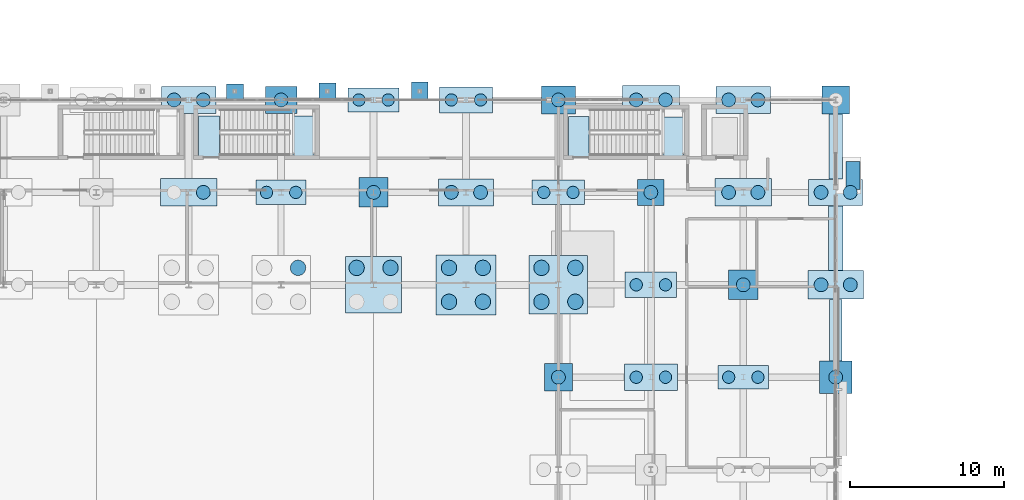
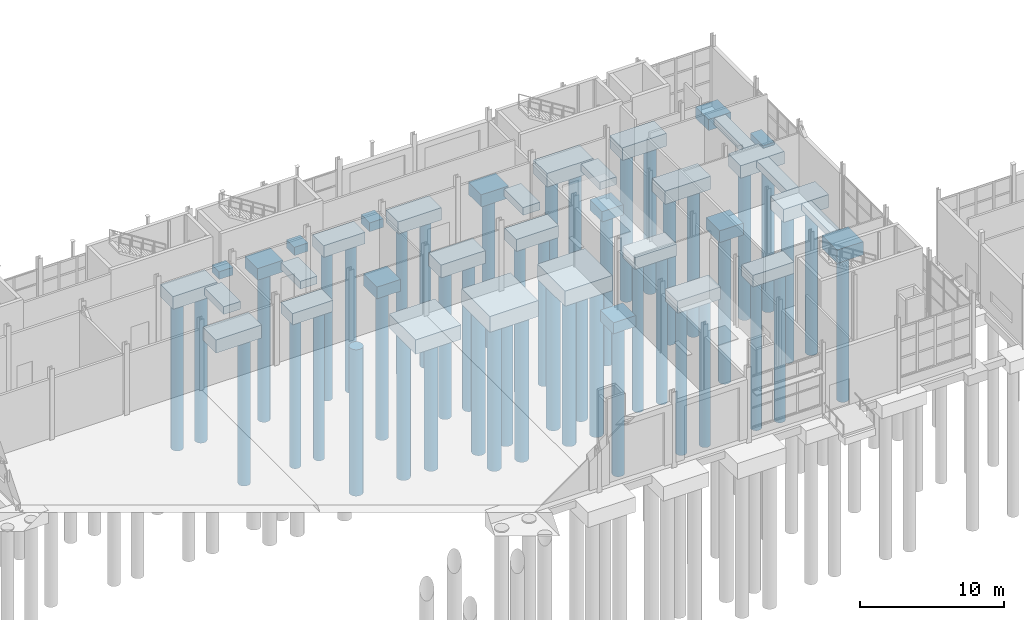
# One storey, part 5 of 120: 47 piles, 37 footings.
"""IFC4 building model written with IfcOpenShell, lengths in metres."""

from ifc_helpers import new_model, si_unit, direction, frame, origin, origin_2d, place, context, subcontext, project, spatial, rectangle, circle, extrude, material, material_profile, profile_set, type_object, element, save


model = new_model("IFC4")

# Units and contexts
model_context = context("Model", 3, precision=1e-05, world=origin(), true_north=direction((0.0, 1.0)))
body_context = subcontext(model_context, "Body", "Model", "MODEL_VIEW")
ifc_project = project(units=[si_unit("LENGTHUNIT", "METRE"), si_unit("AREAUNIT", "SQUARE_METRE"), si_unit("VOLUMEUNIT", "CUBIC_METRE"), si_unit("PLANEANGLEUNIT", "RADIAN"), si_unit("MASSUNIT", "GRAM", prefix="KILO")], contexts=[model_context])

# Site, building, storey
site_placement = place(None, origin())
site = spatial("IfcSite", under=ifc_project, at=site_placement, CompositionType="ELEMENT")
building_placement = place(site_placement, origin())
building = spatial("IfcBuilding", under=site, at=building_placement, Name="Siltcreek Boulevard Central Fire Station", CompositionType="ELEMENT")
storey_placement = place(building_placement, origin())
storey = spatial("IfcBuildingStorey", under=building, at=storey_placement, Name="L01", CompositionType="ELEMENT", Elevation=0.0)

# Footings
ifc_material = material(Name="Concrete C35/45", Category="concrete")
footing_type_1 = type_object("IfcFootingType", Name="PC_170X170X088", PredefinedType="PILE_CAP", material=ifc_material)
footing_1_placement = place(storey_placement, frame((96.0, 48.0, -1.2900390625), z_axis=(0.0, 0.0, 1.0), x_axis=(1.0, 0.0, 0.0)))
element("IfcFooting", 1, at=footing_1_placement, inside=storey, type_object=footing_type_1, Name="Reinforced concrete pile cap PC-060", PredefinedType="PILE_CAP", context=body_context, shape_type="SweptSolid", body=[
    extrude(rectangle(XDim=1.699951171875, YDim=1.699951171875, at=origin_2d()), origin(), (0.0, 0.0, 1.0), 0.8798828125),
])
footing_type_2 = type_object("IfcFootingType", Name="PC_180X180X094", PredefinedType="PILE_CAP", material=ifc_material)
for number, where, z_axis, x_axis, name in (
    (2, (90.0, 36.0, -1.349853515625), (0.0, 0.0, 1.0), (1.0, 0.0, 0.0), "Reinforced concrete pile cap PC-051"),
    (3, (108.0, 54.0, -1.349853515625), (0.0, 0.0, 1.0), (1.0, 0.0, 0.0), "Reinforced concrete pile cap PC-075"),
):
    element("IfcFooting", number, at=place(storey_placement, frame(where, z_axis=z_axis, x_axis=x_axis)), inside=storey, type_object=footing_type_2, Name=name, PredefinedType="PILE_CAP", context=body_context, shape_type="SweptSolid", body=[
        extrude(rectangle(XDim=1.800048828125, YDim=1.800048828125, at=origin_2d()), origin(), (0.0, 0.0, 1.0), 0.93994140625),
    ])
footing_type_3 = type_object("IfcFootingType", Name="PC_190X190X100", PredefinedType="PILE_CAP", material=ifc_material)
for number, where, z_axis, x_axis, name in (
    (4, (78.0, 48.0, -1.409912109375), (0.0, 0.0, 1.0), (1.0, 0.0, 0.0), "Reinforced concrete pile cap PC-042"),
    (5, (102.0, 42.0, -1.409912109375), (0.0, 0.0, 1.0), (1.0, 0.0, 0.0), "Reinforced concrete pile cap PC-066"),
):
    element("IfcFooting", number, at=place(storey_placement, frame(where, z_axis=z_axis, x_axis=x_axis)), inside=storey, type_object=footing_type_3, Name=name, PredefinedType="PILE_CAP", context=body_context, shape_type="SweptSolid", body=[
        extrude(rectangle(XDim=1.89990234375, YDim=1.89990234375, at=origin_2d()), origin(), (0.0, 0.0, 1.0), 1.0),
    ])
footing_type_4 = type_object("IfcFootingType", Name="PC_205X175X098", PredefinedType="PILE_CAP", material=ifc_material)
footing_2_placement = place(storey_placement, frame((72.0, 54.0, -1.389892578125), z_axis=(0.0, 0.0, 1.0), x_axis=(1.0, 0.0, 0.0)))
element("IfcFooting", 6, at=footing_2_placement, inside=storey, type_object=footing_type_4, Name="Reinforced concrete pile cap PC-039", PredefinedType="PILE_CAP", context=body_context, shape_type="SweptSolid", body=[
    extrude(rectangle(XDim=2.050048828125, YDim=1.75, at=origin_2d()), origin(), (0.0, 0.0, 1.0), 0.97998046875),
])
footing_type_5 = type_object("IfcFootingType", Name="PC_210X210X112", PredefinedType="PILE_CAP", material=ifc_material)
footing_3_placement = place(storey_placement, frame((108.0, 36.0, -1.530029296875), z_axis=(0.0, 0.0, 1.0), x_axis=(1.0, 0.0, 0.0)))
element("IfcFooting", 7, at=footing_3_placement, inside=storey, type_object=footing_type_5, Name="Reinforced concrete pile cap PC-072", PredefinedType="PILE_CAP", context=body_context, shape_type="SweptSolid", body=[
    extrude(rectangle(XDim=2.10009765625, YDim=2.10009765625, at=origin_2d()), origin(), (0.0, 0.0, 1.0), 1.1201171875),
])
footing_type_6 = type_object("IfcFootingType", Name="PC_220X180X104", PredefinedType="PILE_CAP", material=ifc_material)
footing_4_placement = place(storey_placement, frame((90.0, 54.0, -1.449951171875), z_axis=(0.0, 0.0, 1.0), x_axis=(1.0, 0.0, 0.0)))
element("IfcFooting", 8, at=footing_4_placement, inside=storey, type_object=footing_type_6, Name="Reinforced concrete pile cap PC-054", PredefinedType="PILE_CAP", context=body_context, shape_type="SweptSolid", body=[
    extrude(rectangle(XDim=2.199951171875, YDim=1.800048828125, at=origin_2d()), origin(), (0.0, 0.0, 1.0), 1.0400390625),
])
footing_type_7 = type_object("IfcFootingType", Name="PC_325X160X096", PredefinedType="PILE_CAP", material=ifc_material)
footing_5_placement = place(storey_placement, frame((72.0, 48.0, -1.369873046875), z_axis=(0.0, 0.0, 1.0), x_axis=(1.0, 0.0, 0.0)))
element("IfcFooting", 9, at=footing_5_placement, inside=storey, type_object=footing_type_7, Name="Reinforced concrete pile cap PC-038", PredefinedType="PILE_CAP", context=body_context, shape_type="SweptSolid", body=[
    extrude(rectangle(XDim=3.25, YDim=1.60009765625, at=origin_2d()), origin(), (0.0, 0.0, 1.0), 0.9599609375),
])
footing_type_8 = type_object("IfcFootingType", Name="PC_330X155X098", PredefinedType="PILE_CAP", material=ifc_material)
for number, where, z_axis, x_axis, name in (
    (10, (78.0, 54.0, -1.389892578125), (0.0, 0.0, 1.0), (1.0, 0.0, 0.0), "Reinforced concrete pile cap PC-043"),
    (11, (102.0, 36.0, -1.389892578125), (0.0, 0.0, 1.0), (1.0, 0.0, 0.0), "Reinforced concrete pile cap PC-065"),
):
    element("IfcFooting", number, at=place(storey_placement, frame(where, z_axis=z_axis, x_axis=x_axis)), inside=storey, type_object=footing_type_8, Name=name, PredefinedType="PILE_CAP", context=body_context, shape_type="SweptSolid", body=[
        extrude(rectangle(XDim=3.300048828125, YDim=1.550048828125, at=origin_2d()), origin(), (0.0, 0.0, 1.0), 0.97998046875),
    ])
footing_type_9 = type_object("IfcFootingType", Name="PC_335X165X100", PredefinedType="PILE_CAP", material=ifc_material)
footing_6_placement = place(storey_placement, frame((96.0, 42.0, -1.409912109375), z_axis=(0.0, 0.0, 1.0), x_axis=(1.0, 0.0, 0.0)))
element("IfcFooting", 12, at=footing_6_placement, inside=storey, type_object=footing_type_9, Name="Reinforced concrete pile cap PC-059", PredefinedType="PILE_CAP", context=body_context, shape_type="SweptSolid", body=[
    extrude(rectangle(XDim=3.35009765625, YDim=1.64990234375, at=origin_2d()), origin(), (0.0, 0.0, 1.0), 1.0),
])
footing_type_10 = type_object("IfcFootingType", Name="PC_340X160X102", PredefinedType="PILE_CAP", material=ifc_material)
footing_7_placement = place(storey_placement, frame((90.0, 48.0, -1.429931640625), z_axis=(0.0, 0.0, 1.0), x_axis=(1.0, 0.0, 0.0)))
element("IfcFooting", 13, at=footing_7_placement, inside=storey, type_object=footing_type_10, Name="Reinforced concrete pile cap PC-053", PredefinedType="PILE_CAP", context=body_context, shape_type="SweptSolid", body=[
    extrude(rectangle(XDim=3.39990234375, YDim=1.60009765625, at=origin_2d()), origin(), (0.0, 0.0, 1.0), 1.02001953125),
])
footing_type_11 = type_object("IfcFootingType", Name="PC_345X170X104", PredefinedType="PILE_CAP", material=ifc_material)
for number, where, z_axis, x_axis, name in (
    (14, (84.0, 54.0, -1.449951171875), (0.0, 0.0, 1.0), (1.0, 0.0, 0.0), "Reinforced concrete pile cap PC-047"),
    (15, (96.0, 36.0, -1.449951171875), (0.0, 0.0, 1.0), (1.0, 0.0, 0.0), "Reinforced concrete pile cap PC-058"),
):
    element("IfcFooting", number, at=place(storey_placement, frame(where, z_axis=z_axis, x_axis=x_axis)), inside=storey, type_object=footing_type_11, Name=name, PredefinedType="PILE_CAP", context=body_context, shape_type="SweptSolid", body=[
        extrude(rectangle(XDim=3.449951171875, YDim=1.699951171875, at=origin_2d()), origin(), (0.0, 0.0, 1.0), 1.0400390625),
    ])
footing_type_12 = type_object("IfcFootingType", Name="PC_350X170X106", PredefinedType="PILE_CAP", material=ifc_material)
footing_8_placement = place(storey_placement, frame((108.0, 48.0, -1.469970703125), z_axis=(0.0, 0.0, 1.0), x_axis=(1.0, 0.0, 0.0)))
element("IfcFooting", 16, at=footing_8_placement, inside=storey, type_object=footing_type_12, Name="Reinforced concrete pile cap PC-074", PredefinedType="PILE_CAP", context=body_context, shape_type="SweptSolid", body=[
    extrude(rectangle(XDim=3.5, YDim=1.699951171875, at=origin_2d()), origin(), (0.0, 0.0, 1.0), 1.06005859375),
])
footing_type_13 = type_object("IfcFootingType", Name="PC_355X175X108", PredefinedType="PILE_CAP", material=ifc_material)
for number, where, z_axis, x_axis, name in (
    (17, (66.0, 54.0, -1.489990234375), (0.0, 0.0, 1.0), (1.0, 0.0, 0.0), "Reinforced concrete pile cap PC-035"),
    (18, (84.0, 48.0, -1.489990234375), (0.0, 0.0, 1.0), (1.0, 0.0, 0.0), "Reinforced concrete pile cap PC-046"),
    (19, (102.0, 54.0, -1.489990234375), (0.0, 0.0, 1.0), (1.0, 0.0, 0.0), "Reinforced concrete pile cap PC-068"),
):
    element("IfcFooting", number, at=place(storey_placement, frame(where, z_axis=z_axis, x_axis=x_axis)), inside=storey, type_object=footing_type_13, Name=name, PredefinedType="PILE_CAP", context=body_context, shape_type="SweptSolid", body=[
        extrude(rectangle(XDim=3.550048828125, YDim=1.75, at=origin_2d()), origin(), (0.0, 0.0, 1.0), 1.080078125),
    ])
footing_type_14 = type_object("IfcFootingType", Name="PC_360X185X110", PredefinedType="PILE_CAP", material=ifc_material)
footing_9_placement = place(storey_placement, frame((108.0, 42.0, -1.510009765625), z_axis=(0.0, 0.0, 1.0), x_axis=(1.0, 0.0, 0.0)))
element("IfcFooting", 20, at=footing_9_placement, inside=storey, type_object=footing_type_14, Name="Reinforced concrete pile cap PC-073", PredefinedType="PILE_CAP", context=body_context, shape_type="SweptSolid", body=[
    extrude(rectangle(XDim=3.60009765625, YDim=1.85009765625, at=origin_2d()), origin(), (0.0, 0.0, 1.0), 1.10009765625),
])
footing_type_15 = type_object("IfcFootingType", Name="PC_365X180X112", PredefinedType="PILE_CAP", material=ifc_material)
for number, where, z_axis, x_axis, name in (
    (21, (66.0, 48.0, -1.530029296875), (0.0, 0.0, 1.0), (1.0, 0.0, 0.0), "Reinforced concrete pile cap PC-034"),
    (22, (102.0, 48.0, -1.530029296875), (0.0, 0.0, 1.0), (1.0, 0.0, 0.0), "Reinforced concrete pile cap PC-067"),
):
    element("IfcFooting", number, at=place(storey_placement, frame(where, z_axis=z_axis, x_axis=x_axis)), inside=storey, type_object=footing_type_15, Name=name, PredefinedType="PILE_CAP", context=body_context, shape_type="SweptSolid", body=[
        extrude(rectangle(XDim=3.64990234375, YDim=1.800048828125, at=origin_2d()), origin(), (0.0, 0.0, 1.0), 1.1201171875),
    ])
footing_type_16 = type_object("IfcFootingType", Name="PC_365X365X122", PredefinedType="PILE_CAP", material=ifc_material)
footing_10_placement = place(storey_placement, frame((78.0, 42.0, -1.6298828125), z_axis=(0.0, 0.0, 1.0), x_axis=(1.0, 0.0, 0.0)))
element("IfcFooting", 23, at=footing_10_placement, inside=storey, type_object=footing_type_16, Name="Reinforced concrete pile cap PC-041", PredefinedType="PILE_CAP", context=body_context, shape_type="SweptSolid", body=[
    extrude(rectangle(XDim=3.64990234375, YDim=3.64990234375, at=origin_2d()), origin(), (0.0, 0.0, 1.0), 1.219970703125),
])
footing_type_17 = type_object("IfcFootingType", Name="PC_370X190X116", PredefinedType="PILE_CAP", material=ifc_material)
footing_11_placement = place(storey_placement, frame((96.0, 54.0, -1.56982421875), z_axis=(0.0, 0.0, 1.0), x_axis=(1.0, 0.0, 0.0)))
element("IfcFooting", 24, at=footing_11_placement, inside=storey, type_object=footing_type_17, Name="Reinforced concrete pile cap PC-061", PredefinedType="PILE_CAP", context=body_context, shape_type="SweptSolid", body=[
    extrude(rectangle(XDim=3.699951171875, YDim=1.89990234375, at=origin_2d()), origin(), (0.0, 0.0, 1.0), 1.159912109375),
])
footing_type_18 = type_object("IfcFootingType", Name="PC_380X380X128", PredefinedType="PILE_CAP", material=ifc_material)
footing_12_placement = place(storey_placement, frame((90.0, 42.0, -1.68994140625), z_axis=(0.0, 0.0, 1.0), x_axis=(1.0, 0.0, 0.0)))
element("IfcFooting", 25, at=footing_12_placement, inside=storey, type_object=footing_type_18, Name="Reinforced concrete pile cap PC-052", PredefinedType="PILE_CAP", context=body_context, shape_type="SweptSolid", body=[
    extrude(rectangle(XDim=3.800048828125, YDim=3.800048828125, at=origin_2d()), origin(), (0.0, 0.0, 1.0), 1.280029296875),
])
footing_type_19 = type_object("IfcFootingType", Name="PC_390X390X135", PredefinedType="PILE_CAP", material=ifc_material)
footing_13_placement = place(storey_placement, frame((84.0, 42.0, -1.760009765625), z_axis=(0.0, 0.0, 1.0), x_axis=(1.0, 0.0, 0.0)))
element("IfcFooting", 26, at=footing_13_placement, inside=storey, type_object=footing_type_19, Name="Reinforced concrete pile cap PC-045", PredefinedType="PILE_CAP", context=body_context, shape_type="SweptSolid", body=[
    extrude(rectangle(XDim=3.89990234375, YDim=3.89990234375, at=origin_2d()), origin(), (0.0, 0.0, 1.0), 1.35009765625),
])

# Piles
ifc_material_profile_1 = material_profile(ifc_material, circle(Radius=0.5, at=origin_2d()), Name="SHAFT1000")
ifc_profile_set_1 = profile_set([ifc_material_profile_1], Name="Concrete C35/45")
pile_type_1 = type_object("IfcPileType", Name="PILE_D1000", PredefinedType="BORED", material=ifc_profile_set_1)
pile_1_placement = place(storey_placement, frame((73.10009765625, 43.10009765625, -1.590087890625), z_axis=(0.0, 0.0, -1.0), x_axis=(1.0, 0.0, 0.0)))
element("IfcPile", 27, at=pile_1_placement, inside=storey, type_object=pile_type_1, Name="Bored concrete pile 072 in Vashon till", PredefinedType="BORED", context=body_context, shape_type="SweptSolid", body=[
    extrude(circle(Radius=0.5, at=origin_2d()), origin(), (0.0, 0.0, 1.0), 12.409912109375),
])
for number, where, z_axis, x_axis, name in (
    (28, (76.89990234375, 43.10009765625, -1.530029296875), (0.0, 0.0, -1.0), (1.0, 0.0, 0.0), "Bored concrete pile 082 in Vashon till"),
    (29, (79.10009765625, 43.10009765625, -1.530029296875), (0.0, 0.0, -1.0), (1.0, 0.0, 0.0), "Bored concrete pile 083 in Vashon till"),
):
    element("IfcPile", number, at=place(storey_placement, frame(where, z_axis=z_axis, x_axis=x_axis)), inside=storey, type_object=pile_type_1, Name=name, PredefinedType="BORED", context=body_context, shape_type="SweptSolid", body=[
        extrude(circle(Radius=0.5, at=origin_2d()), origin(), (0.0, 0.0, 1.0), 12.469970703125),
    ])
for number, where, z_axis, x_axis, name in (
    (30, (82.89990234375, 40.89990234375, -1.659912109375), (0.0, 0.0, -1.0), (1.0, 0.0, 0.0), "Bored concrete pile 091 in Vashon till"),
    (31, (85.10009765625, 40.89990234375, -1.659912109375), (0.0, 0.0, -1.0), (1.0, 0.0, 0.0), "Bored concrete pile 092 in Vashon till"),
    (32, (82.89990234375, 43.10009765625, -1.659912109375), (0.0, 0.0, -1.0), (1.0, 0.0, 0.0), "Bored concrete pile 093 in Vashon till"),
    (33, (85.10009765625, 43.10009765625, -1.659912109375), (0.0, 0.0, -1.0), (1.0, 0.0, 0.0), "Bored concrete pile 094 in Vashon till"),
):
    element("IfcPile", number, at=place(storey_placement, frame(where, z_axis=z_axis, x_axis=x_axis)), inside=storey, type_object=pile_type_1, Name=name, PredefinedType="BORED", context=body_context, shape_type="SweptSolid", body=[
        extrude(circle(Radius=0.5, at=origin_2d()), origin(), (0.0, 0.0, 1.0), 12.340087890625),
    ])
for number, where, z_axis, x_axis, name in (
    (34, (88.89990234375, 40.89990234375, -1.590087890625), (0.0, 0.0, -1.0), (1.0, 0.0, 0.0), "Bored concrete pile 108 in Vashon till"),
    (35, (91.10009765625, 40.89990234375, -1.590087890625), (0.0, 0.0, -1.0), (1.0, 0.0, 0.0), "Bored concrete pile 109 in Vashon till"),
    (36, (88.89990234375, 43.10009765625, -1.590087890625), (0.0, 0.0, -1.0), (1.0, 0.0, 0.0), "Bored concrete pile 110 in Vashon till"),
    (37, (91.10009765625, 43.10009765625, -1.590087890625), (0.0, 0.0, -1.0), (1.0, 0.0, 0.0), "Bored concrete pile 111 in Vashon till"),
):
    element("IfcPile", number, at=place(storey_placement, frame(where, z_axis=z_axis, x_axis=x_axis)), inside=storey, type_object=pile_type_1, Name=name, PredefinedType="BORED", context=body_context, shape_type="SweptSolid", body=[
        extrude(circle(Radius=0.5, at=origin_2d()), origin(), (0.0, 0.0, 1.0), 12.409912109375),
    ])
ifc_material_profile_2 = material_profile(ifc_material, circle(Radius=0.39990234375, at=origin_2d()), Name="SHAFT800")
ifc_profile_set_2 = profile_set([ifc_material_profile_2], Name="Concrete C35/45")
pile_type_2 = type_object("IfcPileType", Name="PILE_D800", PredefinedType="BORED", material=ifc_profile_set_2)
for number, where, z_axis, x_axis, name in (
    (38, (71.050048828125, 48.0, -1.27001953125), (0.0, 0.0, -1.0), (1.0, 0.0, 0.0), "Bored concrete pile 073 in Vashon till"),
    (39, (72.949951171875, 48.0, -1.27001953125), (0.0, 0.0, -1.0), (1.0, 0.0, 0.0), "Bored concrete pile 074 in Vashon till"),
):
    element("IfcPile", number, at=place(storey_placement, frame(where, z_axis=z_axis, x_axis=x_axis)), inside=storey, type_object=pile_type_2, Name=name, PredefinedType="BORED", context=body_context, shape_type="SweptSolid", body=[
        extrude(circle(Radius=0.39990234375, at=origin_2d()), origin(), (0.0, 0.0, 1.0), 12.72998046875),
    ])
for number, where, z_axis, x_axis, name in (
    (40, (77.050048828125, 54.0, -1.2900390625), (0.0, 0.0, -1.0), (1.0, 0.0, 0.0), "Bored concrete pile 085 in Vashon till"),
    (41, (78.949951171875, 54.0, -1.2900390625), (0.0, 0.0, -1.0), (1.0, 0.0, 0.0), "Bored concrete pile 086 in Vashon till"),
):
    element("IfcPile", number, at=place(storey_placement, frame(where, z_axis=z_axis, x_axis=x_axis)), inside=storey, type_object=pile_type_2, Name=name, PredefinedType="BORED", context=body_context, shape_type="SweptSolid", body=[
        extrude(circle(Radius=0.39990234375, at=origin_2d()), origin(), (0.0, 0.0, 1.0), 12.7099609375),
    ])
for number, where, z_axis, x_axis, name in (
    (42, (83.050048828125, 54.0, -1.35009765625), (0.0, 0.0, -1.0), (1.0, 0.0, 0.0), "Bored concrete pile 097 in Vashon till"),
    (43, (84.949951171875, 54.0, -1.35009765625), (0.0, 0.0, -1.0), (1.0, 0.0, 0.0), "Bored concrete pile 098 in Vashon till"),
):
    element("IfcPile", number, at=place(storey_placement, frame(where, z_axis=z_axis, x_axis=x_axis)), inside=storey, type_object=pile_type_2, Name=name, PredefinedType="BORED", context=body_context, shape_type="SweptSolid", body=[
        extrude(circle(Radius=0.39990234375, at=origin_2d()), origin(), (0.0, 0.0, 1.0), 12.64990234375),
    ])
for number, where, z_axis, x_axis, name in (
    (44, (89.050048828125, 48.0, -1.330078125), (0.0, 0.0, -1.0), (1.0, 0.0, 0.0), "Bored concrete pile 112 in Vashon till"),
    (45, (90.949951171875, 48.0, -1.330078125), (0.0, 0.0, -1.0), (1.0, 0.0, 0.0), "Bored concrete pile 113 in Vashon till"),
):
    element("IfcPile", number, at=place(storey_placement, frame(where, z_axis=z_axis, x_axis=x_axis)), inside=storey, type_object=pile_type_2, Name=name, PredefinedType="BORED", context=body_context, shape_type="SweptSolid", body=[
        extrude(circle(Radius=0.39990234375, at=origin_2d()), origin(), (0.0, 0.0, 1.0), 12.669921875),
    ])
for number, where, z_axis, x_axis, name in (
    (46, (95.050048828125, 36.0, -1.35009765625), (0.0, 0.0, -1.0), (1.0, 0.0, 0.0), "Bored concrete pile 120 in Vashon till"),
    (47, (96.949951171875, 36.0, -1.35009765625), (0.0, 0.0, -1.0), (1.0, 0.0, 0.0), "Bored concrete pile 121 in Vashon till"),
):
    element("IfcPile", number, at=place(storey_placement, frame(where, z_axis=z_axis, x_axis=x_axis)), inside=storey, type_object=pile_type_2, Name=name, PredefinedType="BORED", context=body_context, shape_type="SweptSolid", body=[
        extrude(circle(Radius=0.39990234375, at=origin_2d()), origin(), (0.0, 0.0, 1.0), 12.64990234375),
    ])
for number, where, z_axis, x_axis, name in (
    (48, (95.050048828125, 42.0, -1.31005859375), (0.0, 0.0, -1.0), (1.0, 0.0, 0.0), "Bored concrete pile 122 in Vashon till"),
    (49, (96.949951171875, 42.0, -1.31005859375), (0.0, 0.0, -1.0), (1.0, 0.0, 0.0), "Bored concrete pile 123 in Vashon till"),
):
    element("IfcPile", number, at=place(storey_placement, frame(where, z_axis=z_axis, x_axis=x_axis)), inside=storey, type_object=pile_type_2, Name=name, PredefinedType="BORED", context=body_context, shape_type="SweptSolid", body=[
        extrude(circle(Radius=0.39990234375, at=origin_2d()), origin(), (0.0, 0.0, 1.0), 12.68994140625),
    ])
for number, where, z_axis, x_axis, name in (
    (50, (101.050048828125, 36.0, -1.2900390625), (0.0, 0.0, -1.0), (1.0, 0.0, 0.0), "Bored concrete pile 132 in Vashon till"),
    (51, (102.949951171875, 36.0, -1.2900390625), (0.0, 0.0, -1.0), (1.0, 0.0, 0.0), "Bored concrete pile 133 in Vashon till"),
):
    element("IfcPile", number, at=place(storey_placement, frame(where, z_axis=z_axis, x_axis=x_axis)), inside=storey, type_object=pile_type_2, Name=name, PredefinedType="BORED", context=body_context, shape_type="SweptSolid", body=[
        extrude(circle(Radius=0.39990234375, at=origin_2d()), origin(), (0.0, 0.0, 1.0), 12.7099609375),
    ])
ifc_material_profile_3 = material_profile(ifc_material, circle(Radius=0.449951171875, at=origin_2d()), Name="SHAFT900")
ifc_profile_set_3 = profile_set([ifc_material_profile_3], Name="Concrete C35/45")
pile_type_3 = type_object("IfcPileType", Name="PILE_D900", PredefinedType="BORED", material=ifc_profile_set_3)
pile_2_placement = place(storey_placement, frame((66.949951171875, 48.0, -1.429931640625), z_axis=(0.0, 0.0, -1.0), x_axis=(1.0, 0.0, 0.0)))
element("IfcPile", 52, at=pile_2_placement, inside=storey, type_object=pile_type_3, Name="Bored concrete pile 062 in Vashon till", PredefinedType="BORED", context=body_context, shape_type="SweptSolid", body=[
    extrude(circle(Radius=0.449951171875, at=origin_2d()), origin(), (0.0, 0.0, 1.0), 12.570068359375),
])
for number, where, z_axis, x_axis, name in (
    (53, (65.050048828125, 54.0, -1.389892578125), (0.0, 0.0, -1.0), (1.0, 0.0, 0.0), "Bored concrete pile 063 in Vashon till"),
    (54, (66.949951171875, 54.0, -1.389892578125), (0.0, 0.0, -1.0), (1.0, 0.0, 0.0), "Bored concrete pile 064 in Vashon till"),
):
    element("IfcPile", number, at=place(storey_placement, frame(where, z_axis=z_axis, x_axis=x_axis)), inside=storey, type_object=pile_type_3, Name=name, PredefinedType="BORED", context=body_context, shape_type="SweptSolid", body=[
        extrude(circle(Radius=0.449951171875, at=origin_2d()), origin(), (0.0, 0.0, 1.0), 12.610107421875),
    ])
pile_3_placement = place(storey_placement, frame((72.0, 54.0, -1.2900390625), z_axis=(0.0, 0.0, -1.0), x_axis=(1.0, 0.0, 0.0)))
element("IfcPile", 55, at=pile_3_placement, inside=storey, type_object=pile_type_3, Name="Bored concrete pile 075 in Vashon till", PredefinedType="BORED", context=body_context, shape_type="SweptSolid", body=[
    extrude(circle(Radius=0.449951171875, at=origin_2d()), origin(), (0.0, 0.0, 1.0), 12.7099609375),
])
pile_4_placement = place(storey_placement, frame((78.0, 48.0, -1.31005859375), z_axis=(0.0, 0.0, -1.0), x_axis=(1.0, 0.0, 0.0)))
element("IfcPile", 56, at=pile_4_placement, inside=storey, type_object=pile_type_3, Name="Bored concrete pile 084 in Vashon till", PredefinedType="BORED", context=body_context, shape_type="SweptSolid", body=[
    extrude(circle(Radius=0.449951171875, at=origin_2d()), origin(), (0.0, 0.0, 1.0), 12.68994140625),
])
for number, where, z_axis, x_axis, name in (
    (57, (83.050048828125, 48.0, -1.389892578125), (0.0, 0.0, -1.0), (1.0, 0.0, 0.0), "Bored concrete pile 095 in Vashon till"),
    (58, (84.949951171875, 48.0, -1.389892578125), (0.0, 0.0, -1.0), (1.0, 0.0, 0.0), "Bored concrete pile 096 in Vashon till"),
):
    element("IfcPile", number, at=place(storey_placement, frame(where, z_axis=z_axis, x_axis=x_axis)), inside=storey, type_object=pile_type_3, Name=name, PredefinedType="BORED", context=body_context, shape_type="SweptSolid", body=[
        extrude(circle(Radius=0.449951171875, at=origin_2d()), origin(), (0.0, 0.0, 1.0), 12.610107421875),
    ])
pile_5_placement = place(storey_placement, frame((90.0, 36.0, -1.25), z_axis=(0.0, 0.0, -1.0), x_axis=(1.0, 0.0, 0.0)))
element("IfcPile", 59, at=pile_5_placement, inside=storey, type_object=pile_type_3, Name="Bored concrete pile 107 in Vashon till", PredefinedType="BORED", context=body_context, shape_type="SweptSolid", body=[
    extrude(circle(Radius=0.449951171875, at=origin_2d()), origin(), (0.0, 0.0, 1.0), 12.75),
])
pile_6_placement = place(storey_placement, frame((90.0, 54.0, -1.35009765625), z_axis=(0.0, 0.0, -1.0), x_axis=(1.0, 0.0, 0.0)))
element("IfcPile", 60, at=pile_6_placement, inside=storey, type_object=pile_type_3, Name="Bored concrete pile 114 in Vashon till", PredefinedType="BORED", context=body_context, shape_type="SweptSolid", body=[
    extrude(circle(Radius=0.449951171875, at=origin_2d()), origin(), (0.0, 0.0, 1.0), 12.64990234375),
])
pile_7_placement = place(storey_placement, frame((96.0, 48.0, -1.18994140625), z_axis=(0.0, 0.0, -1.0), x_axis=(1.0, 0.0, 0.0)))
element("IfcPile", 61, at=pile_7_placement, inside=storey, type_object=pile_type_3, Name="Bored concrete pile 124 in Vashon till", PredefinedType="BORED", context=body_context, shape_type="SweptSolid", body=[
    extrude(circle(Radius=0.449951171875, at=origin_2d()), origin(), (0.0, 0.0, 1.0), 12.81005859375),
])
for number, where, z_axis, x_axis, name in (
    (62, (95.050048828125, 54.0, -1.469970703125), (0.0, 0.0, -1.0), (1.0, 0.0, 0.0), "Bored concrete pile 125 in Vashon till"),
    (63, (96.949951171875, 54.0, -1.469970703125), (0.0, 0.0, -1.0), (1.0, 0.0, 0.0), "Bored concrete pile 126 in Vashon till"),
):
    element("IfcPile", number, at=place(storey_placement, frame(where, z_axis=z_axis, x_axis=x_axis)), inside=storey, type_object=pile_type_3, Name=name, PredefinedType="BORED", context=body_context, shape_type="SweptSolid", body=[
        extrude(circle(Radius=0.449951171875, at=origin_2d()), origin(), (0.0, 0.0, 1.0), 12.530029296875),
    ])
pile_8_placement = place(storey_placement, frame((102.0, 42.0, -1.31005859375), z_axis=(0.0, 0.0, -1.0), x_axis=(1.0, 0.0, 0.0)))
element("IfcPile", 64, at=pile_8_placement, inside=storey, type_object=pile_type_3, Name="Bored concrete pile 134 in Vashon till", PredefinedType="BORED", context=body_context, shape_type="SweptSolid", body=[
    extrude(circle(Radius=0.449951171875, at=origin_2d()), origin(), (0.0, 0.0, 1.0), 12.68994140625),
])
for number, where, z_axis, x_axis, name in (
    (65, (101.050048828125, 48.0, -1.429931640625), (0.0, 0.0, -1.0), (1.0, 0.0, 0.0), "Bored concrete pile 135 in Vashon till"),
    (66, (102.949951171875, 48.0, -1.429931640625), (0.0, 0.0, -1.0), (1.0, 0.0, 0.0), "Bored concrete pile 136 in Vashon till"),
):
    element("IfcPile", number, at=place(storey_placement, frame(where, z_axis=z_axis, x_axis=x_axis)), inside=storey, type_object=pile_type_3, Name=name, PredefinedType="BORED", context=body_context, shape_type="SweptSolid", body=[
        extrude(circle(Radius=0.449951171875, at=origin_2d()), origin(), (0.0, 0.0, 1.0), 12.570068359375),
    ])
for number, where, z_axis, x_axis, name in (
    (67, (101.050048828125, 54.0, -1.389892578125), (0.0, 0.0, -1.0), (1.0, 0.0, 0.0), "Bored concrete pile 137 in Vashon till"),
    (68, (102.949951171875, 54.0, -1.389892578125), (0.0, 0.0, -1.0), (1.0, 0.0, 0.0), "Bored concrete pile 138 in Vashon till"),
):
    element("IfcPile", number, at=place(storey_placement, frame(where, z_axis=z_axis, x_axis=x_axis)), inside=storey, type_object=pile_type_3, Name=name, PredefinedType="BORED", context=body_context, shape_type="SweptSolid", body=[
        extrude(circle(Radius=0.449951171875, at=origin_2d()), origin(), (0.0, 0.0, 1.0), 12.610107421875),
    ])
pile_9_placement = place(storey_placement, frame((108.0, 36.0, -1.429931640625), z_axis=(0.0, 0.0, -1.0), x_axis=(1.0, 0.0, 0.0)))
element("IfcPile", 69, at=pile_9_placement, inside=storey, type_object=pile_type_3, Name="Bored concrete pile 144 in Vashon till", PredefinedType="BORED", context=body_context, shape_type="SweptSolid", body=[
    extrude(circle(Radius=0.449951171875, at=origin_2d()), origin(), (0.0, 0.0, 1.0), 12.570068359375),
])
for number, where, z_axis, x_axis, name in (
    (70, (107.050048828125, 42.0, -1.409912109375), (0.0, 0.0, -1.0), (1.0, 0.0, 0.0), "Bored concrete pile 145 in Vashon till"),
    (71, (108.949951171875, 42.0, -1.409912109375), (0.0, 0.0, -1.0), (1.0, 0.0, 0.0), "Bored concrete pile 146 in Vashon till"),
):
    element("IfcPile", number, at=place(storey_placement, frame(where, z_axis=z_axis, x_axis=x_axis)), inside=storey, type_object=pile_type_3, Name=name, PredefinedType="BORED", context=body_context, shape_type="SweptSolid", body=[
        extrude(circle(Radius=0.449951171875, at=origin_2d()), origin(), (0.0, 0.0, 1.0), 12.590087890625),
    ])
for number, where, z_axis, x_axis, name in (
    (72, (107.050048828125, 48.0, -1.3701171875), (0.0, 0.0, -1.0), (1.0, 0.0, 0.0), "Bored concrete pile 147 in Vashon till"),
    (73, (108.949951171875, 48.0, -1.3701171875), (0.0, 0.0, -1.0), (1.0, 0.0, 0.0), "Bored concrete pile 148 in Vashon till"),
):
    element("IfcPile", number, at=place(storey_placement, frame(where, z_axis=z_axis, x_axis=x_axis)), inside=storey, type_object=pile_type_3, Name=name, PredefinedType="BORED", context=body_context, shape_type="SweptSolid", body=[
        extrude(circle(Radius=0.449951171875, at=origin_2d()), origin(), (0.0, 0.0, 1.0), 12.6298828125),
    ])

# Footings
footing_type_20 = type_object("IfcFootingType", Name="SF_1000X650", PredefinedType="STRIP_FOOTING", material=ifc_material)
footing_14_placement = place(storey_placement, frame((69.0, 54.550048828125, -1.0), z_axis=(0.0, 0.0, 1.0), x_axis=(1.0, 0.0, 0.0)))
element("IfcFooting", 74, at=footing_14_placement, inside=storey, type_object=footing_type_20, Name="Perimeter strip footing SF-07", PredefinedType="STRIP_FOOTING", context=body_context, shape_type="SweptSolid", body=[
    extrude(rectangle(XDim=1.10009765625, YDim=1.0, at=origin_2d()), origin(), (0.0, 0.0, 1.0), 0.64990234375),
])
footing_15_placement = place(storey_placement, frame((91.320068359375, 51.6201171875, -1.06005859375), z_axis=(0.0, 0.0, 1.0), x_axis=(1.0, 0.0, 0.0)))
element("IfcFooting", 75, at=footing_15_placement, inside=storey, type_object=footing_type_20, Name="Stair ST-V2A W foundation strip footing", PredefinedType="STRIP_FOOTING", context=body_context, shape_type="SweptSolid", body=[
    extrude(rectangle(XDim=1.35009765625, YDim=2.639892578125, at=origin_2d()), origin(), (0.0, 0.0, 1.0), 0.64990234375),
])
footing_16_placement = place(storey_placement, frame((97.4599609375, 51.594970703125, -1.06005859375), z_axis=(0.0, 0.0, 1.0), x_axis=(1.0, 0.0, 0.0)))
element("IfcFooting", 76, at=footing_16_placement, inside=storey, type_object=footing_type_20, Name="Stair ST-V2A E foundation strip footing", PredefinedType="STRIP_FOOTING", context=body_context, shape_type="SweptSolid", body=[
    extrude(rectangle(XDim=1.35009765625, YDim=2.590087890625, at=origin_2d()), origin(), (0.0, 0.0, 1.0), 0.64990234375),
])
for number, where, z_axis, x_axis, name in (
    (77, (67.320068359375, 51.632568359375, -1.06005859375), (0.0, 0.0, 1.0), (1.0, 0.0, 0.0), "Stair ST-V2C W foundation strip footing"),
    (78, (73.4599609375, 51.632568359375, -1.06005859375), (0.0, 0.0, 1.0), (1.0, 0.0, 0.0), "Stair ST-V2C E foundation strip footing"),
):
    element("IfcFooting", number, at=place(storey_placement, frame(where, z_axis=z_axis, x_axis=x_axis)), inside=storey, type_object=footing_type_20, Name=name, PredefinedType="STRIP_FOOTING", context=body_context, shape_type="SweptSolid", body=[
        extrude(rectangle(XDim=1.35009765625, YDim=2.6650390625, at=origin_2d()), origin(), (0.0, 0.0, 1.0), 0.64990234375),
    ])
footing_type_21 = type_object("IfcFootingType", Name="SF_1100X700", PredefinedType="STRIP_FOOTING", material=ifc_material)
footing_17_placement = place(storey_placement, frame((75.0, 54.550048828125, -1.0498046875), z_axis=(0.0, 0.0, 1.0), x_axis=(1.0, 0.0, 0.0)))
element("IfcFooting", 79, at=footing_17_placement, inside=storey, type_object=footing_type_21, Name="Perimeter strip footing SF-08", PredefinedType="STRIP_FOOTING", context=body_context, shape_type="SweptSolid", body=[
    extrude(rectangle(XDim=1.10009765625, YDim=1.10009765625, at=origin_2d()), origin(), (0.0, 0.0, 1.0), 0.699951171875),
])
footing_type_22 = type_object("IfcFootingType", Name="SF_1200X750", PredefinedType="STRIP_FOOTING", material=ifc_material)
footing_18_placement = place(storey_placement, frame((81.0, 54.550048828125, -1.10009765625), z_axis=(0.0, 0.0, 1.0), x_axis=(1.0, 0.0, 0.0)))
element("IfcFooting", 80, at=footing_18_placement, inside=storey, type_object=footing_type_22, Name="Perimeter strip footing SF-09", PredefinedType="STRIP_FOOTING", context=body_context, shape_type="SweptSolid", body=[
    extrude(rectangle(XDim=1.10009765625, YDim=1.199951171875, at=origin_2d()), origin(), (0.0, 0.0, 1.0), 0.75),
])
footing_type_23 = type_object("IfcFootingType", Name="SF_800X550", PredefinedType="STRIP_FOOTING", material=ifc_material)
footing_19_placement = place(storey_placement, frame((108.0, 39.0625, -0.9599609375), z_axis=(0.0, 0.0, 1.0), x_axis=(1.0, 0.0, 0.0)))
element("IfcFooting", 81, at=footing_19_placement, inside=storey, type_object=footing_type_23, Name="Perimeter strip footing SF-058", PredefinedType="STRIP_FOOTING", context=body_context, shape_type="SweptSolid", body=[
    extrude(rectangle(XDim=0.800048828125, YDim=3.985107421875, at=origin_2d()), origin(), (0.0, 0.0, 1.0), 0.550048828125),
])
footing_type_24 = type_object("IfcFootingType", Name="SF_900X600", PredefinedType="STRIP_FOOTING", material=ifc_material)
footing_20_placement = place(storey_placement, frame((108.0, 50.97509765625, -1.010009765625), z_axis=(0.0, 0.0, 1.0), x_axis=(1.0, 0.0, 0.0)))
element("IfcFooting", 82, at=footing_20_placement, inside=storey, type_object=footing_type_24, Name="Perimeter strip footing SF-060", PredefinedType="STRIP_FOOTING", context=body_context, shape_type="SweptSolid", body=[
    extrude(rectangle(XDim=0.89990234375, YDim=4.2099609375, at=origin_2d()), origin(), (0.0, 0.0, 1.0), 0.60009765625),
])
footing_21_placement = place(storey_placement, frame((109.1201171875, 49.10009765625, -0.81005859375), z_axis=(0.0, 0.0, 1.0), x_axis=(1.0, 0.0, 0.0)))
element("IfcFooting", 83, at=footing_21_placement, inside=storey, type_object=footing_type_24, Name="Exterior exit landing strip footing SF-V2E", PredefinedType="STRIP_FOOTING", context=body_context, shape_type="SweptSolid", body=[
    extrude(rectangle(XDim=0.89990234375, YDim=1.800048828125, at=origin_2d()), origin(), (0.0, 0.0, 1.0), 0.60009765625),
])
footing_type_25 = type_object("IfcFootingType", Name="SF_950X620", PredefinedType="STRIP_FOOTING", material=ifc_material)
footing_22_placement = place(storey_placement, frame((108.0, 45.03759765625, -1.030029296875), z_axis=(0.0, 0.0, 1.0), x_axis=(1.0, 0.0, 0.0)))
element("IfcFooting", 84, at=footing_22_placement, inside=storey, type_object=footing_type_25, Name="Perimeter strip footing SF-059", PredefinedType="STRIP_FOOTING", context=body_context, shape_type="SweptSolid", body=[
    extrude(rectangle(XDim=0.949951171875, YDim=4.18505859375, at=origin_2d()), origin(), (0.0, 0.0, 1.0), 0.6201171875),
])

save(model, "model.ifc")
